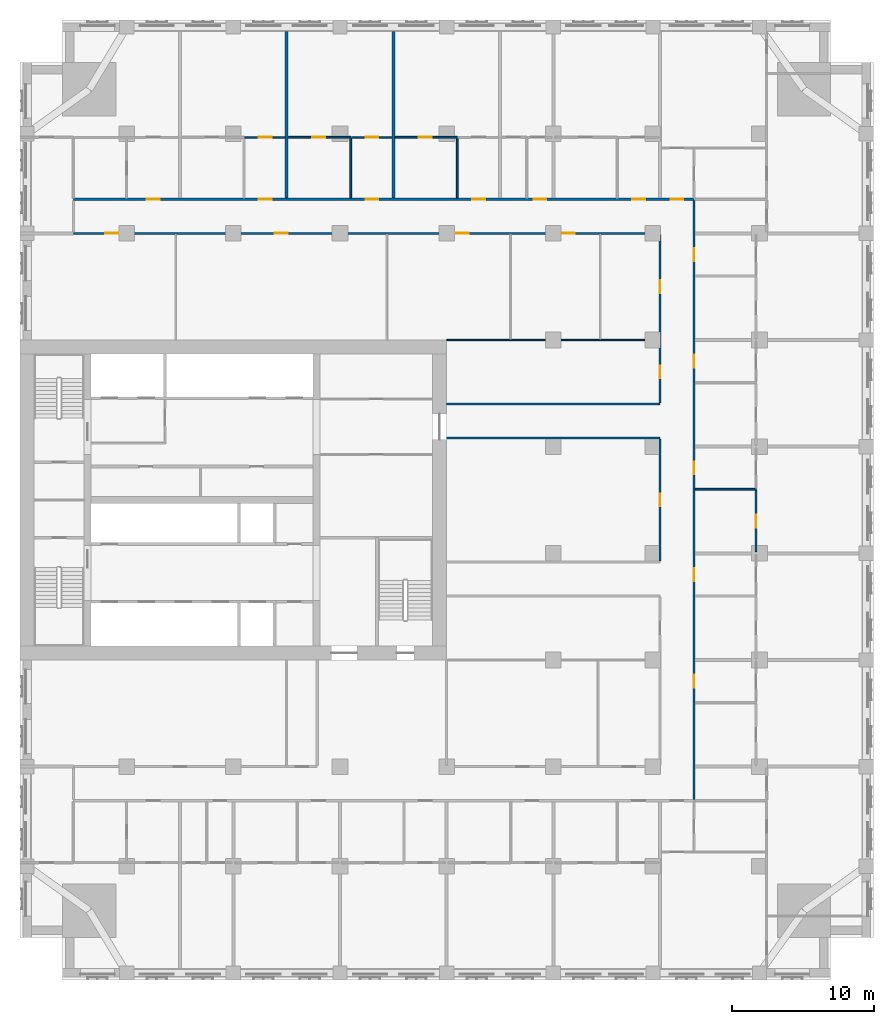
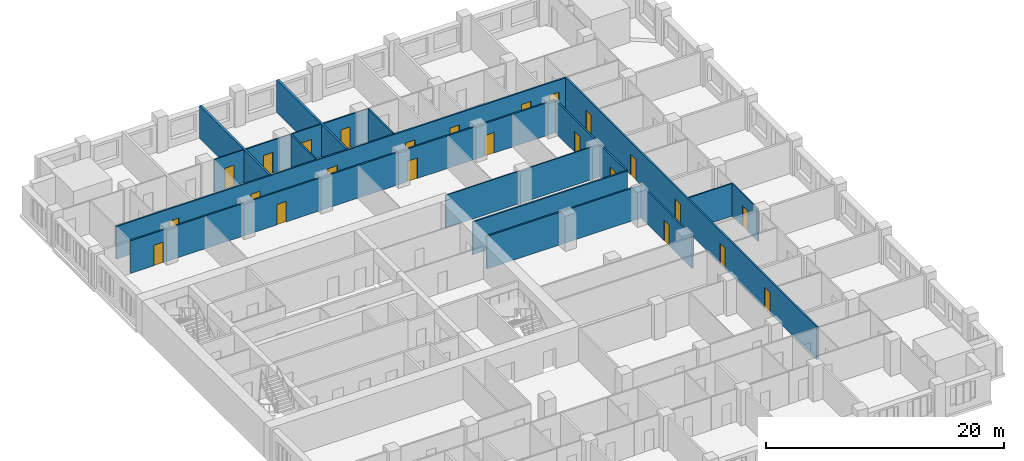
# One storey, part 9 of 14: 24 doors, 18 walls, 24 openings.
"""IFC4 building model written with IfcOpenShell, lengths in metres."""

from ifc_helpers import new_model, si_unit, direction, frame, frame_2d, origin, place, context, subcontext, project, spatial, rectangle, extrude, material, layer, layer_set, type_object, element, fill, save


model = new_model("IFC4")

# Units and contexts
model_context = context("Model", 3, precision=1e-05, world=origin(), true_north=direction((0.0, 1.0)))
body_context = subcontext(model_context, "Body", "Model", "MODEL_VIEW")
ifc_project = project(units=[si_unit("LENGTHUNIT", "METRE"), si_unit("AREAUNIT", "SQUARE_METRE"), si_unit("VOLUMEUNIT", "CUBIC_METRE"), si_unit("PLANEANGLEUNIT", "RADIAN"), si_unit("MASSUNIT", "GRAM", prefix="KILO")], contexts=[model_context])

# Site, building, storey
site_placement = place(None, origin())
site = spatial("IfcSite", under=ifc_project, at=site_placement, CompositionType="ELEMENT")
building_placement = place(site_placement, origin())
building = spatial("IfcBuilding", under=site, at=building_placement, Name="Tamorin Gate", CompositionType="ELEMENT")
storey_placement = place(building_placement, frame((0.0, 0.0, 86.300048828125)))
storey = spatial("IfcBuildingStorey", under=building, at=storey_placement, Name="L20", CompositionType="ELEMENT", Elevation=86.300048828125)

# Wall, openings, doors
ifc_material_1 = material(Name="Gypsum board partition")
ifc_layer_1 = layer(ifc_material_1, 0.14990234375)
ifc_layer_set_1 = layer_set([ifc_layer_1], Name="Corridor wall 150")
wall_type_1 = type_object("IfcWallType", Name="Corridor wall 150", PredefinedType="PARTITIONING", material=ifc_layer_set_1)
wall_1_placement = place(storey_placement, frame((33.75, 90.0, 0.0), z_axis=(0.0, 0.0, 1.0), x_axis=(1.0, 0.0, 0.0)))
wall_1 = element("IfcWall", 1, at=wall_1_placement, inside=storey, type_object=wall_type_1, Name="Corridor wall 150", PredefinedType="PARTITIONING", context=body_context, shape_type="SweptSolid", body=[
    extrude(rectangle(XDim=41.25, YDim=0.14990234375, at=frame_2d((20.625, 0.0))), origin(), (0.0, 0.0, 1.0), 3.349853515625),
])
opening_1_placement = place(wall_1_placement, frame((2.25, 0.0, 0.0)))
opening_1 = element("IfcOpeningElement", 2, at=opening_1_placement, cuts=wall_1, Name="Opening DH7070", PredefinedType="OPENING", context=body_context, shape_type="SweptSolid", body=[
    extrude(rectangle(XDim=0.89990234375, YDim=2.10009765625, at=frame_2d((0.449951171875, 1.050048828125))), frame((0.0, 0.0849609375, 0.0), z_axis=(0.0, -1.0, 0.0), x_axis=(1.0, 0.0, 0.0)), (0.0, 0.0, 1.0), 0.169921875),
])
opening_2_placement = place(wall_1_placement, frame((14.175048828125, 0.0, 0.0)))
opening_2 = element("IfcOpeningElement", 3, at=opening_2_placement, cuts=wall_1, Name="Opening DH7071", PredefinedType="OPENING", context=body_context, shape_type="SweptSolid", body=[
    extrude(rectangle(XDim=0.89990234375, YDim=2.10009765625, at=frame_2d((0.449951171875, 1.050048828125))), frame((0.0, 0.0849609375, 0.0), z_axis=(0.0, -1.0, 0.0), x_axis=(1.0, 0.0, 0.0)), (0.0, 0.0, 1.0), 0.169921875),
])
opening_3_placement = place(wall_1_placement, frame((26.89990234375, 0.0, 0.0)))
opening_3 = element("IfcOpeningElement", 4, at=opening_3_placement, cuts=wall_1, Name="Opening DH7072", PredefinedType="OPENING", context=body_context, shape_type="SweptSolid", body=[
    extrude(rectangle(XDim=0.89990234375, YDim=2.10009765625, at=frame_2d((0.449951171875, 1.050048828125))), frame((0.0, 0.0849609375, 0.0), z_axis=(0.0, -1.0, 0.0), x_axis=(1.0, 0.0, 0.0)), (0.0, 0.0, 1.0), 0.169921875),
])
opening_4_placement = place(wall_1_placement, frame((34.35009765625, 0.0, 0.0)))
opening_4 = element("IfcOpeningElement", 5, at=opening_4_placement, cuts=wall_1, Name="Opening DH7073", PredefinedType="OPENING", context=body_context, shape_type="SweptSolid", body=[
    extrude(rectangle(XDim=0.89990234375, YDim=2.10009765625, at=frame_2d((0.449951171875, 1.050048828125))), frame((0.0, 0.0849609375, 0.0), z_axis=(0.0, -1.0, 0.0), x_axis=(1.0, 0.0, 0.0)), (0.0, 0.0, 1.0), 0.169921875),
])
ifc_material_2 = material(Name="Timber door leaf", Category="wood")
door_type_1 = type_object("IfcDoorType", Name="Door 900 x 2100 FD30S", OperationType="NOTDEFINED", PredefinedType="DOOR", material=ifc_material_2)
door_1_placement = place(opening_1_placement, origin())
door_1 = element("IfcDoor", 6, at=door_1_placement, inside=storey, type_object=door_type_1, Name="Door DH7070", OperationType="SINGLE_SWING_RIGHT", OverallHeight=2.10009765625, OverallWidth=0.89990234375, PredefinedType="DOOR", context=body_context, shape_type="SweptSolid", body=[
    extrude(rectangle(XDim=0.89990234375, YDim=2.10009765625, at=frame_2d((0.449951171875, 1.050048828125))), frame((0.0, 0.02490234375, 0.0), z_axis=(0.0, -1.0, 0.0), x_axis=(1.0, 0.0, 0.0)), (0.0, 0.0, 1.0), 0.050048828125),
])
fill(opening_1, door_1)
door_2_placement = place(opening_2_placement, origin())
door_2 = element("IfcDoor", 7, at=door_2_placement, inside=storey, type_object=door_type_1, Name="Door DH7071", OperationType="SINGLE_SWING_RIGHT", OverallHeight=2.10009765625, OverallWidth=0.89990234375, PredefinedType="DOOR", context=body_context, shape_type="SweptSolid", body=[
    extrude(rectangle(XDim=0.89990234375, YDim=2.10009765625, at=frame_2d((0.449951171875, 1.050048828125))), frame((0.0, 0.02490234375, 0.0), z_axis=(0.0, -1.0, 0.0), x_axis=(1.0, 0.0, 0.0)), (0.0, 0.0, 1.0), 0.050048828125),
])
fill(opening_2, door_2)
door_3_placement = place(opening_3_placement, origin())
door_3 = element("IfcDoor", 8, at=door_3_placement, inside=storey, type_object=door_type_1, Name="Door DH7072", OperationType="SINGLE_SWING_LEFT", OverallHeight=2.10009765625, OverallWidth=0.89990234375, PredefinedType="DOOR", context=body_context, shape_type="SweptSolid", body=[
    extrude(rectangle(XDim=0.89990234375, YDim=2.10009765625, at=frame_2d((0.449951171875, 1.050048828125))), frame((0.0, 0.02490234375, 0.0), z_axis=(0.0, -1.0, 0.0), x_axis=(1.0, 0.0, 0.0)), (0.0, 0.0, 1.0), 0.050048828125),
])
fill(opening_3, door_3)
door_4_placement = place(opening_4_placement, origin())
door_4 = element("IfcDoor", 9, at=door_4_placement, inside=storey, type_object=door_type_1, Name="Door DH7073", OperationType="SINGLE_SWING_LEFT", OverallHeight=2.10009765625, OverallWidth=0.89990234375, PredefinedType="DOOR", context=body_context, shape_type="SweptSolid", body=[
    extrude(rectangle(XDim=0.89990234375, YDim=2.10009765625, at=frame_2d((0.449951171875, 1.050048828125))), frame((0.0, 0.02490234375, 0.0), z_axis=(0.0, -1.0, 0.0), x_axis=(1.0, 0.0, 0.0)), (0.0, 0.0, 1.0), 0.050048828125),
])
fill(opening_4, door_4)

wall_2_placement = place(storey_placement, frame((33.75, 92.39990234375, 0.0), z_axis=(0.0, 0.0, 1.0), x_axis=(1.0, 0.0, 0.0)))
wall_2 = element("IfcWall", 10, at=wall_2_placement, inside=storey, type_object=wall_type_1, Name="Corridor wall 150", PredefinedType="PARTITIONING", context=body_context, shape_type="SweptSolid", body=[
    extrude(rectangle(XDim=43.64990234375, YDim=0.14990234375, at=frame_2d((21.824951171875, 0.0))), origin(), (0.0, 0.0, 1.0), 3.349853515625),
])
opening_5_placement = place(wall_2_placement, frame((5.175048828125, 0.0, 0.0)))
opening_5 = element("IfcOpeningElement", 11, at=opening_5_placement, cuts=wall_2, Name="Opening DH7022", PredefinedType="OPENING", context=body_context, shape_type="SweptSolid", body=[
    extrude(rectangle(XDim=0.89990234375, YDim=2.10009765625, at=frame_2d((0.449951171875, 1.050048828125))), frame((0.0, 0.0849609375, 0.0), z_axis=(0.0, -1.0, 0.0), x_axis=(1.0, 0.0, 0.0)), (0.0, 0.0, 1.0), 0.169921875),
])
opening_6_placement = place(wall_2_placement, frame((13.050048828125, 0.0, 0.0)))
opening_6 = element("IfcOpeningElement", 12, at=opening_6_placement, cuts=wall_2, Name="Opening DH7025", PredefinedType="OPENING", context=body_context, shape_type="SweptSolid", body=[
    extrude(rectangle(XDim=0.89990234375, YDim=2.10009765625, at=frame_2d((0.449951171875, 1.050048828125))), frame((0.0, 0.0849609375, 0.0), z_axis=(0.0, -1.0, 0.0), x_axis=(1.0, 0.0, 0.0)), (0.0, 0.0, 1.0), 0.169921875),
])
opening_7_placement = place(wall_2_placement, frame((20.550048828125, 0.0, 0.0)))
opening_7 = element("IfcOpeningElement", 13, at=opening_7_placement, cuts=wall_2, Name="Opening DH7028", PredefinedType="OPENING", context=body_context, shape_type="SweptSolid", body=[
    extrude(rectangle(XDim=0.89990234375, YDim=2.10009765625, at=frame_2d((0.449951171875, 1.050048828125))), frame((0.0, 0.0849609375, 0.0), z_axis=(0.0, -1.0, 0.0), x_axis=(1.0, 0.0, 0.0)), (0.0, 0.0, 1.0), 0.169921875),
])
opening_8_placement = place(wall_2_placement, frame((28.050048828125, 0.0, 0.0)))
opening_8 = element("IfcOpeningElement", 14, at=opening_8_placement, cuts=wall_2, Name="Opening DH7031", PredefinedType="OPENING", context=body_context, shape_type="SweptSolid", body=[
    extrude(rectangle(XDim=0.89990234375, YDim=2.10009765625, at=frame_2d((0.449951171875, 1.050048828125))), frame((0.0, 0.0849609375, 0.0), z_axis=(0.0, -1.0, 0.0), x_axis=(1.0, 0.0, 0.0)), (0.0, 0.0, 1.0), 0.169921875),
])
opening_9_placement = place(wall_2_placement, frame((32.362548828125, 0.0, 0.0)))
opening_9 = element("IfcOpeningElement", 15, at=opening_9_placement, cuts=wall_2, Name="Opening DH7034", PredefinedType="OPENING", context=body_context, shape_type="SweptSolid", body=[
    extrude(rectangle(XDim=0.89990234375, YDim=2.10009765625, at=frame_2d((0.449951171875, 1.050048828125))), frame((0.0, 0.0849609375, 0.0), z_axis=(0.0, -1.0, 0.0), x_axis=(1.0, 0.0, 0.0)), (0.0, 0.0, 1.0), 0.169921875),
])
opening_10_placement = place(wall_2_placement, frame((39.300048828125, 0.0, 0.0)))
opening_10 = element("IfcOpeningElement", 16, at=opening_10_placement, cuts=wall_2, Name="Opening DH7037", PredefinedType="OPENING", context=body_context, shape_type="SweptSolid", body=[
    extrude(rectangle(XDim=0.89990234375, YDim=2.10009765625, at=frame_2d((0.449951171875, 1.050048828125))), frame((0.0, 0.0849609375, 0.0), z_axis=(0.0, -1.0, 0.0), x_axis=(1.0, 0.0, 0.0)), (0.0, 0.0, 1.0), 0.169921875),
])
opening_11_placement = place(wall_2_placement, frame((42.0, 0.0, 0.0)))
opening_11 = element("IfcOpeningElement", 17, at=opening_11_placement, cuts=wall_2, Name="Opening DH7060", PredefinedType="OPENING", context=body_context, shape_type="SweptSolid", body=[
    extrude(rectangle(XDim=0.89990234375, YDim=2.10009765625, at=frame_2d((0.449951171875, 1.050048828125))), frame((0.0, 0.0849609375, 0.0), z_axis=(0.0, -1.0, 0.0), x_axis=(1.0, 0.0, 0.0)), (0.0, 0.0, 1.0), 0.169921875),
])
door_5_placement = place(opening_5_placement, origin())
door_5 = element("IfcDoor", 18, at=door_5_placement, inside=storey, type_object=door_type_1, Name="Door DH7022", OperationType="SINGLE_SWING_LEFT", OverallHeight=2.10009765625, OverallWidth=0.89990234375, PredefinedType="DOOR", context=body_context, shape_type="SweptSolid", body=[
    extrude(rectangle(XDim=0.89990234375, YDim=2.10009765625, at=frame_2d((0.449951171875, 1.050048828125))), frame((0.0, 0.02490234375, 0.0), z_axis=(0.0, -1.0, 0.0), x_axis=(1.0, 0.0, 0.0)), (0.0, 0.0, 1.0), 0.050048828125),
])
fill(opening_5, door_5)
door_6_placement = place(opening_6_placement, origin())
door_6 = element("IfcDoor", 19, at=door_6_placement, inside=storey, type_object=door_type_1, Name="Door DH7025", OperationType="SINGLE_SWING_LEFT", OverallHeight=2.10009765625, OverallWidth=0.89990234375, PredefinedType="DOOR", context=body_context, shape_type="SweptSolid", body=[
    extrude(rectangle(XDim=0.89990234375, YDim=2.10009765625, at=frame_2d((0.449951171875, 1.050048828125))), frame((0.0, 0.02490234375, 0.0), z_axis=(0.0, -1.0, 0.0), x_axis=(1.0, 0.0, 0.0)), (0.0, 0.0, 1.0), 0.050048828125),
])
fill(opening_6, door_6)
door_7_placement = place(opening_7_placement, origin())
door_7 = element("IfcDoor", 20, at=door_7_placement, inside=storey, type_object=door_type_1, Name="Door DH7028", OperationType="SINGLE_SWING_LEFT", OverallHeight=2.10009765625, OverallWidth=0.89990234375, PredefinedType="DOOR", context=body_context, shape_type="SweptSolid", body=[
    extrude(rectangle(XDim=0.89990234375, YDim=2.10009765625, at=frame_2d((0.449951171875, 1.050048828125))), frame((0.0, 0.02490234375, 0.0), z_axis=(0.0, -1.0, 0.0), x_axis=(1.0, 0.0, 0.0)), (0.0, 0.0, 1.0), 0.050048828125),
])
fill(opening_7, door_7)
door_8_placement = place(opening_8_placement, origin())
door_8 = element("IfcDoor", 21, at=door_8_placement, inside=storey, type_object=door_type_1, Name="Door DH7031", OperationType="SINGLE_SWING_LEFT", OverallHeight=2.10009765625, OverallWidth=0.89990234375, PredefinedType="DOOR", context=body_context, shape_type="SweptSolid", body=[
    extrude(rectangle(XDim=0.89990234375, YDim=2.10009765625, at=frame_2d((0.449951171875, 1.050048828125))), frame((0.0, 0.02490234375, 0.0), z_axis=(0.0, -1.0, 0.0), x_axis=(1.0, 0.0, 0.0)), (0.0, 0.0, 1.0), 0.050048828125),
])
fill(opening_8, door_8)
door_9_placement = place(opening_9_placement, origin())
door_9 = element("IfcDoor", 22, at=door_9_placement, inside=storey, type_object=door_type_1, Name="Door DH7034", OperationType="SINGLE_SWING_LEFT", OverallHeight=2.10009765625, OverallWidth=0.89990234375, PredefinedType="DOOR", context=body_context, shape_type="SweptSolid", body=[
    extrude(rectangle(XDim=0.89990234375, YDim=2.10009765625, at=frame_2d((0.449951171875, 1.050048828125))), frame((0.0, 0.02490234375, 0.0), z_axis=(0.0, -1.0, 0.0), x_axis=(1.0, 0.0, 0.0)), (0.0, 0.0, 1.0), 0.050048828125),
])
fill(opening_9, door_9)
door_10_placement = place(opening_10_placement, origin())
door_10 = element("IfcDoor", 23, at=door_10_placement, inside=storey, type_object=door_type_1, Name="Door DH7037", OperationType="SINGLE_SWING_LEFT", OverallHeight=2.10009765625, OverallWidth=0.89990234375, PredefinedType="DOOR", context=body_context, shape_type="SweptSolid", body=[
    extrude(rectangle(XDim=0.89990234375, YDim=2.10009765625, at=frame_2d((0.449951171875, 1.050048828125))), frame((0.0, 0.02490234375, 0.0), z_axis=(0.0, -1.0, 0.0), x_axis=(1.0, 0.0, 0.0)), (0.0, 0.0, 1.0), 0.050048828125),
])
fill(opening_10, door_10)
door_11_placement = place(opening_11_placement, origin())
door_11 = element("IfcDoor", 24, at=door_11_placement, inside=storey, type_object=door_type_1, Name="Door DH7060", OperationType="SINGLE_SWING_RIGHT", OverallHeight=2.10009765625, OverallWidth=0.89990234375, PredefinedType="DOOR", context=body_context, shape_type="SweptSolid", body=[
    extrude(rectangle(XDim=0.89990234375, YDim=2.10009765625, at=frame_2d((0.449951171875, 1.050048828125))), frame((0.0, 0.02490234375, 0.0), z_axis=(0.0, -1.0, 0.0), x_axis=(1.0, 0.0, 0.0)), (0.0, 0.0, 1.0), 0.050048828125),
])
fill(opening_11, door_11)

# Wall, opening, door
wall_3_placement = place(storey_placement, frame((75.0, 66.97509765625, 0.0), z_axis=(0.0, 0.0, 1.0), x_axis=(0.0, 1.0, 0.0)))
wall_3 = element("IfcWall", 25, at=wall_3_placement, inside=storey, type_object=wall_type_1, Name="Corridor wall 150", PredefinedType="PARTITIONING", context=body_context, shape_type="SweptSolid", body=[
    extrude(rectangle(XDim=8.5498046875, YDim=0.14990234375, at=frame_2d((4.27490234375, 0.0))), origin(), (0.0, 0.0, 1.0), 3.349853515625),
])
opening_12_placement = place(wall_3_placement, frame((3.824951171875, 0.0, 0.0)))
opening_12 = element("IfcOpeningElement", 26, at=opening_12_placement, cuts=wall_3, Name="Opening DH7076", PredefinedType="OPENING", context=body_context, shape_type="SweptSolid", body=[
    extrude(rectangle(XDim=0.89990234375, YDim=2.10009765625, at=frame_2d((0.449951171875, 1.050048828125))), frame((0.0, 0.0849609375, 0.0), z_axis=(0.0, -1.0, 0.0), x_axis=(1.0, 0.0, 0.0)), (0.0, 0.0, 1.0), 0.169921875),
])
door_12_placement = place(opening_12_placement, origin())
door_12 = element("IfcDoor", 27, at=door_12_placement, inside=storey, type_object=door_type_1, Name="Door DH7076", OperationType="SINGLE_SWING_LEFT", OverallHeight=2.10009765625, OverallWidth=0.89990234375, PredefinedType="DOOR", context=body_context, shape_type="SweptSolid", body=[
    extrude(rectangle(XDim=0.89990234375, YDim=2.10009765625, at=frame_2d((0.449951171875, 1.050048828125))), frame((0.0, 0.02490234375, 0.0), z_axis=(0.0, -1.0, 0.0), x_axis=(1.0, 0.0, 0.0)), (0.0, 0.0, 1.0), 0.050048828125),
])
fill(opening_12, door_12)

# Wall, openings, doors
wall_4_placement = place(storey_placement, frame((75.0, 78.074951171875, 0.0), z_axis=(0.0, 0.0, 1.0), x_axis=(0.0, 1.0, 0.0)))
wall_4 = element("IfcWall", 28, at=wall_4_placement, inside=storey, type_object=wall_type_1, Name="Corridor wall 150", PredefinedType="PARTITIONING", context=body_context, shape_type="SweptSolid", body=[
    extrude(rectangle(XDim=11.85009765625, YDim=0.14990234375, at=frame_2d((5.925048828125, 0.0))), origin(), (0.0, 0.0, 1.0), 3.349853515625),
])
opening_13_placement = place(wall_4_placement, frame((7.72509765625, 0.0, 0.0)))
opening_13 = element("IfcOpeningElement", 29, at=opening_13_placement, cuts=wall_4, Name="Opening DH7074", PredefinedType="OPENING", context=body_context, shape_type="SweptSolid", body=[
    extrude(rectangle(XDim=0.89990234375, YDim=2.10009765625, at=frame_2d((0.449951171875, 1.050048828125))), frame((0.0, 0.0849609375, 0.0), z_axis=(0.0, -1.0, 0.0), x_axis=(1.0, 0.0, 0.0)), (0.0, 0.0, 1.0), 0.169921875),
])
opening_14_placement = place(wall_4_placement, frame((1.72509765625, 0.0, 0.0)))
opening_14 = element("IfcOpeningElement", 30, at=opening_14_placement, cuts=wall_4, Name="Opening DH7077", PredefinedType="OPENING", context=body_context, shape_type="SweptSolid", body=[
    extrude(rectangle(XDim=0.89990234375, YDim=2.10009765625, at=frame_2d((0.449951171875, 1.050048828125))), frame((0.0, 0.0849609375, 0.0), z_axis=(0.0, -1.0, 0.0), x_axis=(1.0, 0.0, 0.0)), (0.0, 0.0, 1.0), 0.169921875),
])
door_13_placement = place(opening_13_placement, origin())
door_13 = element("IfcDoor", 31, at=door_13_placement, inside=storey, type_object=door_type_1, Name="Door DH7074", OperationType="SINGLE_SWING_LEFT", OverallHeight=2.10009765625, OverallWidth=0.89990234375, PredefinedType="DOOR", context=body_context, shape_type="SweptSolid", body=[
    extrude(rectangle(XDim=0.89990234375, YDim=2.10009765625, at=frame_2d((0.449951171875, 1.050048828125))), frame((0.0, 0.02490234375, 0.0), z_axis=(0.0, -1.0, 0.0), x_axis=(1.0, 0.0, 0.0)), (0.0, 0.0, 1.0), 0.050048828125),
])
fill(opening_13, door_13)
door_14_placement = place(opening_14_placement, origin())
door_14 = element("IfcDoor", 32, at=door_14_placement, inside=storey, type_object=door_type_1, Name="Door DH7077", OperationType="SINGLE_SWING_LEFT", OverallHeight=2.10009765625, OverallWidth=0.89990234375, PredefinedType="DOOR", context=body_context, shape_type="SweptSolid", body=[
    extrude(rectangle(XDim=0.89990234375, YDim=2.10009765625, at=frame_2d((0.449951171875, 1.050048828125))), frame((0.0, 0.02490234375, 0.0), z_axis=(0.0, -1.0, 0.0), x_axis=(1.0, 0.0, 0.0)), (0.0, 0.0, 1.0), 0.050048828125),
])
fill(opening_14, door_14)

wall_5_placement = place(storey_placement, frame((77.39990234375, 50.175048828125, 0.0), z_axis=(0.0, 0.0, 1.0), x_axis=(0.0, 1.0, 0.0)))
wall_5 = element("IfcWall", 33, at=wall_5_placement, inside=storey, type_object=wall_type_1, Name="Corridor wall 150", PredefinedType="PARTITIONING", context=body_context, shape_type="SweptSolid", body=[
    extrude(rectangle(XDim=42.14990234375, YDim=0.14990234375, at=frame_2d((21.074951171875, 0.0))), origin(), (0.0, 0.0, 1.0), 3.349853515625),
])
opening_15_placement = place(wall_5_placement, frame((7.875, 0.0, 0.0)))
opening_15 = element("IfcOpeningElement", 34, at=opening_15_placement, cuts=wall_5, Name="Opening DH7040", PredefinedType="OPENING", context=body_context, shape_type="SweptSolid", body=[
    extrude(rectangle(XDim=0.89990234375, YDim=2.10009765625, at=frame_2d((0.449951171875, 1.050048828125))), frame((0.0, 0.0849609375, 0.0), z_axis=(0.0, -1.0, 0.0), x_axis=(1.0, 0.0, 0.0)), (0.0, 0.0, 1.0), 0.169921875),
])
opening_16_placement = place(wall_5_placement, frame((15.375, 0.0, 0.0)))
opening_16 = element("IfcOpeningElement", 35, at=opening_16_placement, cuts=wall_5, Name="Opening DH7043", PredefinedType="OPENING", context=body_context, shape_type="SweptSolid", body=[
    extrude(rectangle(XDim=0.89990234375, YDim=2.10009765625, at=frame_2d((0.449951171875, 1.050048828125))), frame((0.0, 0.0849609375, 0.0), z_axis=(0.0, -1.0, 0.0), x_axis=(1.0, 0.0, 0.0)), (0.0, 0.0, 1.0), 0.169921875),
])
opening_17_placement = place(wall_5_placement, frame((22.875, 0.0, 0.0)))
opening_17 = element("IfcOpeningElement", 36, at=opening_17_placement, cuts=wall_5, Name="Opening DH7046", PredefinedType="OPENING", context=body_context, shape_type="SweptSolid", body=[
    extrude(rectangle(XDim=0.89990234375, YDim=2.10009765625, at=frame_2d((0.449951171875, 1.050048828125))), frame((0.0, 0.0849609375, 0.0), z_axis=(0.0, -1.0, 0.0), x_axis=(1.0, 0.0, 0.0)), (0.0, 0.0, 1.0), 0.169921875),
])
opening_18_placement = place(wall_5_placement, frame((30.375, 0.0, 0.0)))
opening_18 = element("IfcOpeningElement", 37, at=opening_18_placement, cuts=wall_5, Name="Opening DH7049", PredefinedType="OPENING", context=body_context, shape_type="SweptSolid", body=[
    extrude(rectangle(XDim=0.89990234375, YDim=2.10009765625, at=frame_2d((0.449951171875, 1.050048828125))), frame((0.0, 0.0849609375, 0.0), z_axis=(0.0, -1.0, 0.0), x_axis=(1.0, 0.0, 0.0)), (0.0, 0.0, 1.0), 0.169921875),
])
opening_19_placement = place(wall_5_placement, frame((37.875, 0.0, 0.0)))
opening_19 = element("IfcOpeningElement", 38, at=opening_19_placement, cuts=wall_5, Name="Opening DH7052", PredefinedType="OPENING", context=body_context, shape_type="SweptSolid", body=[
    extrude(rectangle(XDim=0.89990234375, YDim=2.10009765625, at=frame_2d((0.449951171875, 1.050048828125))), frame((0.0, 0.0849609375, 0.0), z_axis=(0.0, -1.0, 0.0), x_axis=(1.0, 0.0, 0.0)), (0.0, 0.0, 1.0), 0.169921875),
])
door_15_placement = place(opening_15_placement, origin())
door_15 = element("IfcDoor", 39, at=door_15_placement, inside=storey, type_object=door_type_1, Name="Door DH7040", OperationType="SINGLE_SWING_RIGHT", OverallHeight=2.10009765625, OverallWidth=0.89990234375, PredefinedType="DOOR", context=body_context, shape_type="SweptSolid", body=[
    extrude(rectangle(XDim=0.89990234375, YDim=2.10009765625, at=frame_2d((0.449951171875, 1.050048828125))), frame((0.0, 0.02490234375, 0.0), z_axis=(0.0, -1.0, 0.0), x_axis=(1.0, 0.0, 0.0)), (0.0, 0.0, 1.0), 0.050048828125),
])
fill(opening_15, door_15)
door_16_placement = place(opening_16_placement, origin())
door_16 = element("IfcDoor", 40, at=door_16_placement, inside=storey, type_object=door_type_1, Name="Door DH7043", OperationType="SINGLE_SWING_RIGHT", OverallHeight=2.10009765625, OverallWidth=0.89990234375, PredefinedType="DOOR", context=body_context, shape_type="SweptSolid", body=[
    extrude(rectangle(XDim=0.89990234375, YDim=2.10009765625, at=frame_2d((0.449951171875, 1.050048828125))), frame((0.0, 0.02490234375, 0.0), z_axis=(0.0, -1.0, 0.0), x_axis=(1.0, 0.0, 0.0)), (0.0, 0.0, 1.0), 0.050048828125),
])
fill(opening_16, door_16)
door_17_placement = place(opening_17_placement, origin())
door_17 = element("IfcDoor", 41, at=door_17_placement, inside=storey, type_object=door_type_1, Name="Door DH7046", OperationType="SINGLE_SWING_RIGHT", OverallHeight=2.10009765625, OverallWidth=0.89990234375, PredefinedType="DOOR", context=body_context, shape_type="SweptSolid", body=[
    extrude(rectangle(XDim=0.89990234375, YDim=2.10009765625, at=frame_2d((0.449951171875, 1.050048828125))), frame((0.0, 0.02490234375, 0.0), z_axis=(0.0, -1.0, 0.0), x_axis=(1.0, 0.0, 0.0)), (0.0, 0.0, 1.0), 0.050048828125),
])
fill(opening_17, door_17)
door_18_placement = place(opening_18_placement, origin())
door_18 = element("IfcDoor", 42, at=door_18_placement, inside=storey, type_object=door_type_1, Name="Door DH7049", OperationType="SINGLE_SWING_RIGHT", OverallHeight=2.10009765625, OverallWidth=0.89990234375, PredefinedType="DOOR", context=body_context, shape_type="SweptSolid", body=[
    extrude(rectangle(XDim=0.89990234375, YDim=2.10009765625, at=frame_2d((0.449951171875, 1.050048828125))), frame((0.0, 0.02490234375, 0.0), z_axis=(0.0, -1.0, 0.0), x_axis=(1.0, 0.0, 0.0)), (0.0, 0.0, 1.0), 0.050048828125),
])
fill(opening_18, door_18)
door_19_placement = place(opening_19_placement, origin())
door_19 = element("IfcDoor", 43, at=door_19_placement, inside=storey, type_object=door_type_1, Name="Door DH7052", OperationType="SINGLE_SWING_RIGHT", OverallHeight=2.10009765625, OverallWidth=0.89990234375, PredefinedType="DOOR", context=body_context, shape_type="SweptSolid", body=[
    extrude(rectangle(XDim=0.89990234375, YDim=2.10009765625, at=frame_2d((0.449951171875, 1.050048828125))), frame((0.0, 0.02490234375, 0.0), z_axis=(0.0, -1.0, 0.0), x_axis=(1.0, 0.0, 0.0)), (0.0, 0.0, 1.0), 0.050048828125),
])
fill(opening_19, door_19)

# Walls
ifc_layer_2 = layer(ifc_material_1, 0.199951171875)
ifc_layer_set_2 = layer_set([ifc_layer_2], Name="Demising wall 200")
wall_type_2 = type_object("IfcWallType", Name="Demising wall 200", PredefinedType="PARTITIONING", material=ifc_layer_set_2)
for number, where, z_axis, x_axis, name in (
    (44, (48.75, 92.47509765625, 0.0), (0.0, 0.0, 1.0), (0.0, 1.0, 0.0), "Demising wall 200"),
    (45, (56.25, 92.47509765625, 0.0), (0.0, 0.0, 1.0), (0.0, 1.0, 0.0), "Demising wall 200"),
):
    element("IfcWall", number, at=place(storey_placement, frame(where, z_axis=z_axis, x_axis=x_axis)), inside=storey, type_object=wall_type_2, Name=name, PredefinedType="PARTITIONING", context=body_context, shape_type="SweptSolid", body=[
        extrude(rectangle(XDim=11.71484375, YDim=0.199951171875, at=frame_2d((5.857421875, 0.0))), origin(), (0.0, 0.0, 1.0), 3.349853515625),
    ])
ifc_layer_3 = layer(ifc_material_1, 0.14990234375)
ifc_layer_set_3 = layer_set([ifc_layer_3], Name="Lobby wall 150")
wall_type_3 = type_object("IfcWallType", Name="Lobby wall 150", PredefinedType="PARTITIONING", material=ifc_layer_set_3)
for number, where, z_axis, x_axis, name in (
    (46, (60.0, 75.60009765625, 0.0), (0.0, 0.0, 1.0), (1.0, 0.0, 0.0), "Lobby wall 150"),
    (47, (60.0, 78.0, 0.0), (0.0, 0.0, 1.0), (1.0, 0.0, 0.0), "Lobby wall 150"),
):
    element("IfcWall", number, at=place(storey_placement, frame(where, z_axis=z_axis, x_axis=x_axis)), inside=storey, type_object=wall_type_3, Name=name, PredefinedType="PARTITIONING", context=body_context, shape_type="SweptSolid", body=[
        extrude(rectangle(XDim=15.0, YDim=0.14990234375, at=frame_2d((7.5, 0.0))), origin(), (0.0, 0.0, 1.0), 3.349853515625),
    ])
ifc_layer_4 = layer(ifc_material_1, 0.10009765625)
ifc_layer_set_4 = layer_set([ifc_layer_4], Name="Room partition 100")
wall_type_4 = type_object("IfcWallType", Name="Room partition 100", PredefinedType="PARTITIONING", material=ifc_layer_set_4)
wall_6_placement = place(storey_placement, frame((60.0, 82.5, 0.0), z_axis=(0.0, 0.0, 1.0), x_axis=(1.0, 0.0, 0.0)))
element("IfcWall", 48, at=wall_6_placement, inside=storey, type_object=wall_type_4, Name="Room partition 100", PredefinedType="PARTITIONING", context=body_context, shape_type="SweptSolid", body=[
    extrude(rectangle(XDim=14.925048828125, YDim=0.10009765625, at=frame_2d((7.46240234375, 0.0))), origin(), (0.0, 0.0, 1.0), 3.349853515625),
])

# Wall, opening, door
wall_7_placement = place(storey_placement, frame((45.8125, 96.75, 0.0), z_axis=(0.0, 0.0, 1.0), x_axis=(1.0, 0.0, 0.0)))
wall_7 = element("IfcWall", 49, at=wall_7_placement, inside=storey, type_object=wall_type_4, Name="Room partition 100", PredefinedType="PARTITIONING", context=body_context, shape_type="SweptSolid", body=[
    extrude(rectangle(XDim=2.83740234375, YDim=0.10009765625, at=frame_2d((1.418701171875, 0.0))), origin(), (0.0, 0.0, 1.0), 3.349853515625),
])
opening_20_placement = place(wall_7_placement, frame((0.987548828125, 0.0, 0.0)))
opening_20 = element("IfcOpeningElement", 50, at=opening_20_placement, cuts=wall_7, Name="Opening DH7026", PredefinedType="OPENING", context=body_context, shape_type="SweptSolid", body=[
    extrude(rectangle(XDim=0.89990234375, YDim=2.10009765625, at=frame_2d((0.449951171875, 1.050048828125))), frame((0.0, 0.06005859375, 0.0), z_axis=(0.0, -1.0, 0.0), x_axis=(1.0, 0.0, 0.0)), (0.0, 0.0, 1.0), 0.1201171875),
])
door_type_2 = type_object("IfcDoorType", Name="Door 900 x 2100", OperationType="NOTDEFINED", PredefinedType="DOOR", material=ifc_material_2)
door_20_placement = place(opening_20_placement, origin())
door_20 = element("IfcDoor", 51, at=door_20_placement, inside=storey, type_object=door_type_2, Name="Door DH7026", OperationType="SINGLE_SWING_RIGHT", OverallHeight=2.10009765625, OverallWidth=0.89990234375, PredefinedType="DOOR", context=body_context, shape_type="SweptSolid", body=[
    extrude(rectangle(XDim=0.89990234375, YDim=2.10009765625, at=frame_2d((0.449951171875, 1.050048828125))), frame((0.0, 0.02490234375, 0.0), z_axis=(0.0, -1.0, 0.0), x_axis=(1.0, 0.0, 0.0)), (0.0, 0.0, 1.0), 0.050048828125),
])
fill(opening_20, door_20)

wall_8_placement = place(storey_placement, frame((53.3125, 96.75, 0.0), z_axis=(0.0, 0.0, 1.0), x_axis=(1.0, 0.0, 0.0)))
wall_8 = element("IfcWall", 52, at=wall_8_placement, inside=storey, type_object=wall_type_4, Name="Room partition 100", PredefinedType="PARTITIONING", context=body_context, shape_type="SweptSolid", body=[
    extrude(rectangle(XDim=2.83740234375, YDim=0.10009765625, at=frame_2d((1.418701171875, 0.0))), origin(), (0.0, 0.0, 1.0), 3.349853515625),
])
opening_21_placement = place(wall_8_placement, frame((0.987548828125, 0.0, 0.0)))
opening_21 = element("IfcOpeningElement", 53, at=opening_21_placement, cuts=wall_8, Name="Opening DH7029", PredefinedType="OPENING", context=body_context, shape_type="SweptSolid", body=[
    extrude(rectangle(XDim=0.89990234375, YDim=2.10009765625, at=frame_2d((0.449951171875, 1.050048828125))), frame((0.0, 0.06005859375, 0.0), z_axis=(0.0, -1.0, 0.0), x_axis=(1.0, 0.0, 0.0)), (0.0, 0.0, 1.0), 0.1201171875),
])
door_21_placement = place(opening_21_placement, origin())
door_21 = element("IfcDoor", 54, at=door_21_placement, inside=storey, type_object=door_type_2, Name="Door DH7029", OperationType="SINGLE_SWING_RIGHT", OverallHeight=2.10009765625, OverallWidth=0.89990234375, PredefinedType="DOOR", context=body_context, shape_type="SweptSolid", body=[
    extrude(rectangle(XDim=0.89990234375, YDim=2.10009765625, at=frame_2d((0.449951171875, 1.050048828125))), frame((0.0, 0.02490234375, 0.0), z_axis=(0.0, -1.0, 0.0), x_axis=(1.0, 0.0, 0.0)), (0.0, 0.0, 1.0), 0.050048828125),
])
fill(opening_21, door_21)

# Wall
ifc_layer_5 = layer(ifc_material_1, 0.125)
ifc_layer_set_5 = layer_set([ifc_layer_5], Name="Wet wall 125")
wall_type_5 = type_object("IfcWallType", Name="Wet wall 125", PredefinedType="PARTITIONING", material=ifc_layer_set_5)
wall_9_placement = place(storey_placement, frame((77.47509765625, 72.0, 0.0), z_axis=(0.0, 0.0, 1.0), x_axis=(1.0, 0.0, 0.0)))
element("IfcWall", 55, at=wall_9_placement, inside=storey, type_object=wall_type_5, Name="Wet wall 125", PredefinedType="PARTITIONING", context=body_context, shape_type="SweptSolid", body=[
    extrude(rectangle(XDim=4.27490234375, YDim=0.125, at=frame_2d((2.137451171875, 0.0))), origin(), (0.0, 0.0, 1.0), 3.349853515625),
])

# Wall, opening, door
wall_10_placement = place(storey_placement, frame((48.85009765625, 96.75, 0.0), z_axis=(0.0, 0.0, 1.0), x_axis=(1.0, 0.0, 0.0)))
wall_10 = element("IfcWall", 56, at=wall_10_placement, inside=storey, type_object=wall_type_5, Name="Wet wall 125", PredefinedType="PARTITIONING", context=body_context, shape_type="SweptSolid", body=[
    extrude(rectangle(XDim=4.39990234375, YDim=0.125, at=frame_2d((2.199951171875, 0.0))), origin(), (0.0, 0.0, 1.0), 3.349853515625),
])
opening_22_placement = place(wall_10_placement, frame((1.699951171875, 0.0, 0.0)))
opening_22 = element("IfcOpeningElement", 57, at=opening_22_placement, cuts=wall_10, Name="Opening DH7027", PredefinedType="OPENING", context=body_context, shape_type="SweptSolid", body=[
    extrude(rectangle(XDim=0.89990234375, YDim=2.10009765625, at=frame_2d((0.449951171875, 1.050048828125))), frame((0.0, 0.072509765625, 0.0), z_axis=(0.0, -1.0, 0.0), x_axis=(1.0, 0.0, 0.0)), (0.0, 0.0, 1.0), 0.14501953125),
])
door_22_placement = place(opening_22_placement, origin())
door_22 = element("IfcDoor", 58, at=door_22_placement, inside=storey, type_object=door_type_2, Name="Door DH7027", OperationType="SINGLE_SWING_RIGHT", OverallHeight=2.10009765625, OverallWidth=0.89990234375, PredefinedType="DOOR", context=body_context, shape_type="SweptSolid", body=[
    extrude(rectangle(XDim=0.89990234375, YDim=2.10009765625, at=frame_2d((0.449951171875, 1.050048828125))), frame((0.0, 0.02490234375, 0.0), z_axis=(0.0, -1.0, 0.0), x_axis=(1.0, 0.0, 0.0)), (0.0, 0.0, 1.0), 0.050048828125),
])
fill(opening_22, door_22)

wall_11_placement = place(storey_placement, frame((56.35009765625, 96.75, 0.0), z_axis=(0.0, 0.0, 1.0), x_axis=(1.0, 0.0, 0.0)))
wall_11 = element("IfcWall", 59, at=wall_11_placement, inside=storey, type_object=wall_type_5, Name="Wet wall 125", PredefinedType="PARTITIONING", context=body_context, shape_type="SweptSolid", body=[
    extrude(rectangle(XDim=4.39990234375, YDim=0.125, at=frame_2d((2.199951171875, 0.0))), origin(), (0.0, 0.0, 1.0), 3.349853515625),
])
opening_23_placement = place(wall_11_placement, frame((1.699951171875, 0.0, 0.0)))
opening_23 = element("IfcOpeningElement", 60, at=opening_23_placement, cuts=wall_11, Name="Opening DH7030", PredefinedType="OPENING", context=body_context, shape_type="SweptSolid", body=[
    extrude(rectangle(XDim=0.89990234375, YDim=2.10009765625, at=frame_2d((0.449951171875, 1.050048828125))), frame((0.0, 0.072509765625, 0.0), z_axis=(0.0, -1.0, 0.0), x_axis=(1.0, 0.0, 0.0)), (0.0, 0.0, 1.0), 0.14501953125),
])
door_23_placement = place(opening_23_placement, origin())
door_23 = element("IfcDoor", 61, at=door_23_placement, inside=storey, type_object=door_type_2, Name="Door DH7030", OperationType="SINGLE_SWING_RIGHT", OverallHeight=2.10009765625, OverallWidth=0.89990234375, PredefinedType="DOOR", context=body_context, shape_type="SweptSolid", body=[
    extrude(rectangle(XDim=0.89990234375, YDim=2.10009765625, at=frame_2d((0.449951171875, 1.050048828125))), frame((0.0, 0.02490234375, 0.0), z_axis=(0.0, -1.0, 0.0), x_axis=(1.0, 0.0, 0.0)), (0.0, 0.0, 1.0), 0.050048828125),
])
fill(opening_23, door_23)

# Walls
for number, where, z_axis, x_axis, name in (
    (62, (53.25, 92.47509765625, 0.0), (0.0, 0.0, 1.0), (0.0, 1.0, 0.0), "Wet wall 125"),
    (63, (60.75, 92.47509765625, 0.0), (0.0, 0.0, 1.0), (0.0, 1.0, 0.0), "Wet wall 125"),
):
    element("IfcWall", number, at=place(storey_placement, frame(where, z_axis=z_axis, x_axis=x_axis)), inside=storey, type_object=wall_type_5, Name=name, PredefinedType="PARTITIONING", context=body_context, shape_type="SweptSolid", body=[
        extrude(rectangle(XDim=4.21240234375, YDim=0.125, at=frame_2d((2.106201171875, 0.0))), origin(), (0.0, 0.0, 1.0), 3.349853515625),
    ])

# Wall, opening, door
wall_12_placement = place(storey_placement, frame((81.75, 67.60009765625, 0.0), z_axis=(0.0, 0.0, 1.0), x_axis=(0.0, 1.0, 0.0)))
wall_12 = element("IfcWall", 64, at=wall_12_placement, inside=storey, type_object=wall_type_5, Name="Wet wall 125", PredefinedType="PARTITIONING", context=body_context, shape_type="SweptSolid", body=[
    extrude(rectangle(XDim=4.33740234375, YDim=0.125, at=frame_2d((2.168701171875, 0.0))), origin(), (0.0, 0.0, 1.0), 3.349853515625),
])
opening_24_placement = place(wall_12_placement, frame((1.699951171875, 0.0, 0.0)))
opening_24 = element("IfcOpeningElement", 65, at=opening_24_placement, cuts=wall_12, Name="Opening DH7045", PredefinedType="OPENING", context=body_context, shape_type="SweptSolid", body=[
    extrude(rectangle(XDim=0.89990234375, YDim=2.10009765625, at=frame_2d((0.449951171875, 1.050048828125))), frame((0.0, 0.072509765625, 0.0), z_axis=(0.0, -1.0, 0.0), x_axis=(1.0, 0.0, 0.0)), (0.0, 0.0, 1.0), 0.14501953125),
])
door_24_placement = place(opening_24_placement, origin())
door_24 = element("IfcDoor", 66, at=door_24_placement, inside=storey, type_object=door_type_2, Name="Door DH7045", OperationType="SINGLE_SWING_LEFT", OverallHeight=2.10009765625, OverallWidth=0.89990234375, PredefinedType="DOOR", context=body_context, shape_type="SweptSolid", body=[
    extrude(rectangle(XDim=0.89990234375, YDim=2.10009765625, at=frame_2d((0.449951171875, 1.050048828125))), frame((0.0, 0.02490234375, 0.0), z_axis=(0.0, -1.0, 0.0), x_axis=(1.0, 0.0, 0.0)), (0.0, 0.0, 1.0), 0.050048828125),
])
fill(opening_24, door_24)

save(model, "model.ifc")
